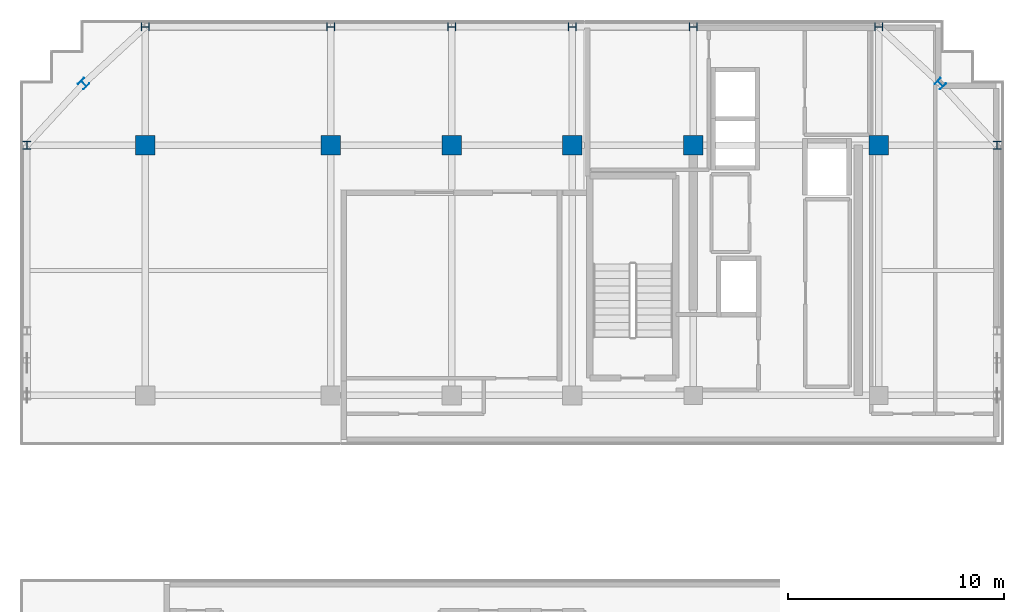
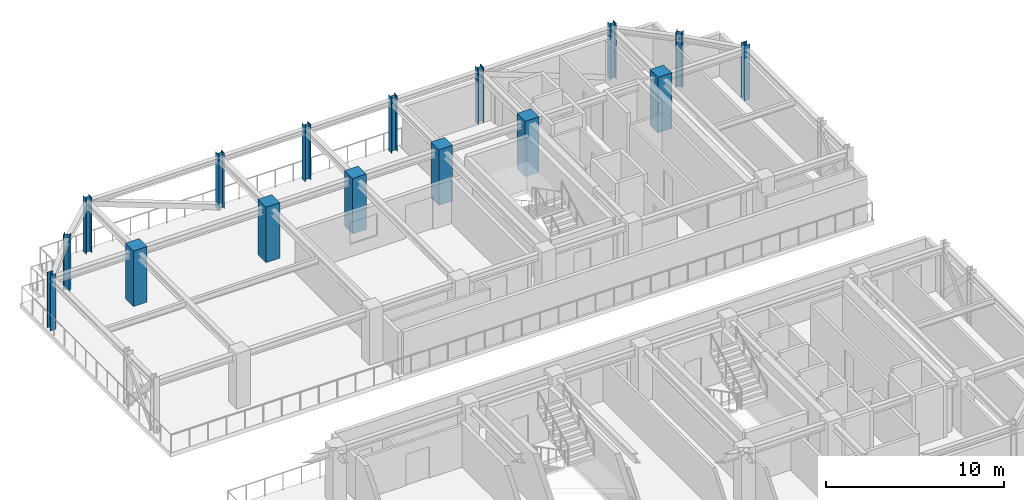
# One storey, part 3 of 14: 16 columns.
"""IFC4 building model written with IfcOpenShell, lengths in metres."""

from ifc_helpers import new_model, si_unit, direction, frame, origin, origin_2d, place, context, subcontext, project, spatial, rectangle, i_section, extrude, source, transform, mapped, material, material_profile, profile_set, type_object, element, save


model = new_model("IFC4")

# Units and contexts
model_context = context("Model", 3, precision=1e-05, world=origin(), true_north=direction((0.0, 1.0)))
body_context = subcontext(model_context, "Body", "Model", "MODEL_VIEW")
ifc_project = project(units=[si_unit("LENGTHUNIT", "METRE"), si_unit("AREAUNIT", "SQUARE_METRE"), si_unit("VOLUMEUNIT", "CUBIC_METRE"), si_unit("PLANEANGLEUNIT", "RADIAN"), si_unit("MASSUNIT", "GRAM", prefix="KILO")], contexts=[model_context])

# Site, building, storey
site_placement = place(None, origin())
site = spatial("IfcSite", under=ifc_project, at=site_placement, CompositionType="ELEMENT")
building_placement = place(site_placement, origin())
building = spatial("IfcBuilding", under=site, at=building_placement, Name="Nahalor Promenade Grand Hotel", CompositionType="ELEMENT")
storey_placement = place(building_placement, frame((0.0, 0.0, 296.5)))
storey = spatial("IfcBuildingStorey", under=building, at=storey_placement, Name="L76", CompositionType="ELEMENT", Elevation=296.5)

# Columns
ifc_material_1 = material(Name="Concrete B-50 (C40/50)", Category="concrete")
ifc_material_profile_1 = material_profile(ifc_material_1, rectangle(XDim=0.9, YDim=0.9, at=origin_2d()), Name="RC 900x900")
ifc_profile_set_1 = profile_set([ifc_material_profile_1], Name="Concrete B-50 (C40/50)")
column_type_1 = type_object("IfcColumnType", Name="Col-RC-900", PredefinedType="COLUMN", material=ifc_profile_set_1)
shared_shape_1 = source(origin(), body_context, "Body", "SweptSolid", [
    extrude(rectangle(XDim=0.9, YDim=0.9, at=origin_2d()), origin(), (0.0, 0.0, 1.0), 3.804931640625),
])
for number, where, z_axis, x_axis, name in (
    (1, (-17.0, 17.0, 0.0), (0.0, 0.0, 1.0), (1.0, 0.0, 0.0), "COL-L76-I03"),
    (2, (-8.39990234375, 17.0, 0.0), (0.0, 0.0, 1.0), (1.0, 0.0, 0.0), "COL-L76-I13"),
    (3, (-2.800048828125, 17.0, 0.0), (0.0, 0.0, 1.0), (1.0, 0.0, 0.0), "COL-L76-I23"),
    (4, (2.800048828125, 17.0, 0.0), (0.0, 0.0, 1.0), (1.0, 0.0, 0.0), "COL-L76-I33"),
    (5, (8.39990234375, 17.0, 0.0), (0.0, 0.0, 1.0), (1.0, 0.0, 0.0), "COL-L76-I43"),
    (6, (17.0, 17.0, 0.0), (0.0, 0.0, 1.0), (1.0, 0.0, 0.0), "COL-L76-I53"),
):
    element("IfcColumn", number, at=place(storey_placement, frame(where, z_axis=z_axis, x_axis=x_axis)), inside=storey, type_object=column_type_1, Name=name, PredefinedType="COLUMN", context=body_context, shape_type="MappedRepresentation", body=[
        mapped(shared_shape_1, transform((0.0, 0.0, 0.0), scale=1.0)),
    ])
ifc_material_2 = material(Name="Steel S355JR", Category="steel")
ifc_material_profile_2 = material_profile(ifc_material_2, i_section(OverallWidth=0.374, OverallDepth=0.374, WebThickness=0.0144, FlangeThickness=0.0229, at=origin_2d()), Name="HD 360x262")
ifc_profile_set_2 = profile_set([ifc_material_profile_2], Name="Steel S355JR")
column_type_2 = type_object("IfcColumnType", Name="Col-Steel-HD262", PredefinedType="COLUMN", material=ifc_profile_set_2)
shared_shape_2 = source(origin(), body_context, "Body", "SweptSolid", [
    extrude(i_section(OverallWidth=0.374, OverallDepth=0.374, WebThickness=0.0144, FlangeThickness=0.0229, at=origin_2d()), origin(), (0.0, 0.0, 1.0), 3.804931640625),
])
for number, where, z_axis, x_axis, name in (
    (7, (-22.47998046875, 17.0, 0.0), (0.0, 0.0, 1.0), (1.0, 0.0, 0.0), "COL-L76-PW-W5"),
    (8, (22.47998046875, 17.0, 0.0), (0.0, 0.0, 1.0), (1.0, 0.0, 0.0), "COL-L76-PW-E5"),
    (9, (-17.0, 22.47998046875, 0.0), (0.0, 0.0, 1.0), (0.0, 1.0, 0.0), "COL-L76-PN-N0"),
    (10, (-8.39990234375, 22.47998046875, 0.0), (0.0, 0.0, 1.0), (0.0, 1.0, 0.0), "COL-L76-PN-N1"),
    (11, (-2.800048828125, 22.47998046875, 0.0), (0.0, 0.0, 1.0), (0.0, 1.0, 0.0), "COL-L76-PN-N2"),
    (12, (2.800048828125, 22.47998046875, 0.0), (0.0, 0.0, 1.0), (0.0, 1.0, 0.0), "COL-L76-PN-N3"),
    (13, (8.39990234375, 22.47998046875, 0.0), (0.0, 0.0, 1.0), (0.0, 1.0, 0.0), "COL-L76-PN-N4"),
    (14, (17.0, 22.47998046875, 0.0), (0.0, 0.0, 1.0), (0.0, 1.0, 0.0), "COL-L76-PN-N5"),
    (15, (-19.85009765625, 19.85009765625, 0.0), (0.0, 0.0, 1.0), (0.707106781187, 0.707106781187, 0.0), "COL-L76-CRN-NW"),
    (16, (19.85009765625, 19.85009765625, 0.0), (0.0, 0.0, 1.0), (0.707106781187, 0.707106781187, 0.0), "COL-L76-CRN-NE"),
):
    element("IfcColumn", number, at=place(storey_placement, frame(where, z_axis=z_axis, x_axis=x_axis)), inside=storey, type_object=column_type_2, Name=name, PredefinedType="COLUMN", context=body_context, shape_type="MappedRepresentation", body=[
        mapped(shared_shape_2, transform((0.0, 0.0, 0.0), scale=1.0)),
    ])

save(model, "model.ifc")
